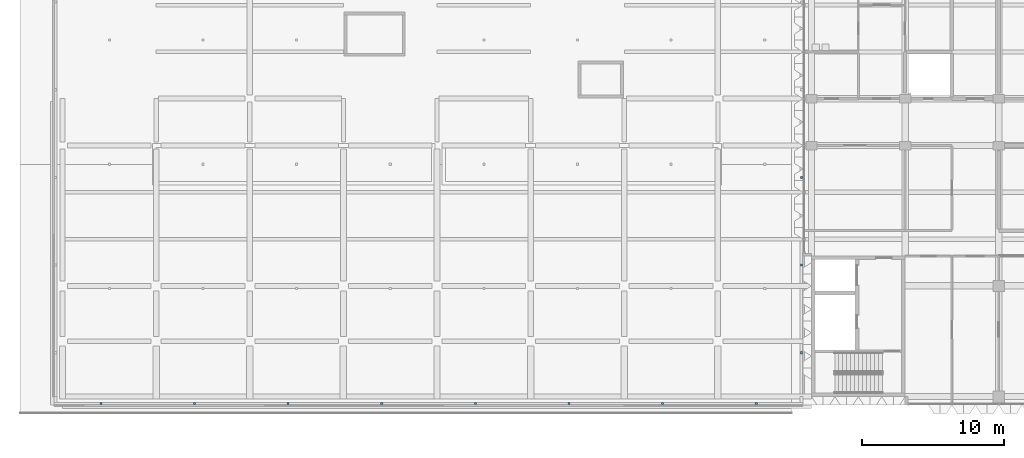
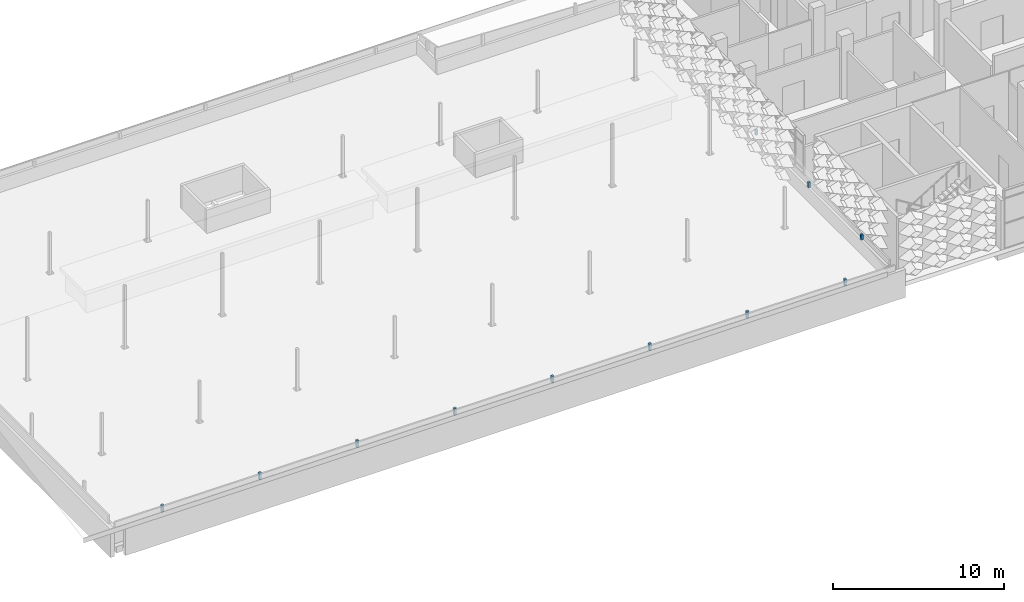
# One storey, part 17 of 39: 11 discrete accessories.
"""IFC4 building model written with IfcOpenShell, lengths in metres."""

from ifc_helpers import new_model, si_unit, direction, frame, origin, origin_2d, place, context, subcontext, project, spatial, rectangle, extrude, material, type_object, element, save


model = new_model("IFC4")

# Units and contexts
model_context = context("Model", 3, precision=1e-05, world=origin(), true_north=direction((0.0, 1.0)))
body_context = subcontext(model_context, "Body", "Model", "MODEL_VIEW")
ifc_project = project(units=[si_unit("LENGTHUNIT", "METRE"), si_unit("AREAUNIT", "SQUARE_METRE"), si_unit("VOLUMEUNIT", "CUBIC_METRE"), si_unit("PLANEANGLEUNIT", "RADIAN"), si_unit("MASSUNIT", "GRAM", prefix="KILO")], contexts=[model_context])

# Site, building, storey
site_placement = place(None, origin())
site = spatial("IfcSite", under=ifc_project, at=site_placement, CompositionType="ELEMENT")
building_placement = place(site_placement, origin())
building = spatial("IfcBuilding", under=site, at=building_placement, Name="Lantern Court Research Institute", CompositionType="ELEMENT")
storey_placement = place(building_placement, frame((0.0, 0.0, 27.89990234375)))
storey = spatial("IfcBuildingStorey", under=building, at=storey_placement, Name="L06", CompositionType="ELEMENT", Elevation=27.89990234375)

# Discrete accessories
ifc_material = material(Name="Structural steel S355", Category="steel")
discrete_accessory_type = type_object("IfcDiscreteAccessoryType", Name="Parasol roof post 150 x 150 steel", PredefinedType="BRACKET", material=ifc_material)
for number, where, z_axis, x_axis, name in (
    (1, (2.699951171875, -8.300048828125, 1.10009765625), (0.0, 0.0, 1.0), (1.0, 0.0, 0.0), "Parasol roof post V4 29"),
    (2, (9.300048828125, -8.300048828125, 1.10009765625), (0.0, 0.0, 1.0), (1.0, 0.0, 0.0), "Parasol roof post V4 30"),
    (3, (15.89990234375, -8.300048828125, 1.10009765625), (0.0, 0.0, 1.0), (1.0, 0.0, 0.0), "Parasol roof post V4 31"),
    (4, (22.5, -8.300048828125, 1.10009765625), (0.0, 0.0, 1.0), (1.0, 0.0, 0.0), "Parasol roof post V4 32"),
    (5, (29.10009765625, -8.300048828125, 1.10009765625), (0.0, 0.0, 1.0), (1.0, 0.0, 0.0), "Parasol roof post V4 33"),
    (6, (35.699951171875, -8.300048828125, 1.10009765625), (0.0, 0.0, 1.0), (1.0, 0.0, 0.0), "Parasol roof post V4 34"),
    (7, (42.300048828125, -8.300048828125, 1.10009765625), (0.0, 0.0, 1.0), (1.0, 0.0, 0.0), "Parasol roof post V4 35"),
    (8, (48.89990234375, -8.300048828125, 1.10009765625), (0.0, 0.0, 1.0), (1.0, 0.0, 0.0), "Parasol roof post V4 36"),
):
    element("IfcDiscreteAccessory", number, at=place(storey_placement, frame(where, z_axis=z_axis, x_axis=x_axis)), inside=storey, type_object=discrete_accessory_type, Name=name, PredefinedType="BRACKET", context=body_context, shape_type="SweptSolid", body=[
        extrude(rectangle(XDim=0.14990234375, YDim=0.14990234375, at=origin_2d()), origin(), (0.0, 0.0, 1.0), 0.49658203125),
    ])
for number, where, z_axis, x_axis, name in (
    (9, (52.10009765625, -4.7099609375, 1.10009765625), (0.0, 0.0, 1.0), (1.0, 0.0, 0.0), "Parasol roof post V4 37"),
    (10, (52.10009765625, 1.469970703125, 1.10009765625), (0.0, 0.0, 1.0), (1.0, 0.0, 0.0), "Parasol roof post V4 38"),
    (11, (52.10009765625, 7.64990234375, 1.10009765625), (0.0, 0.0, 1.0), (1.0, 0.0, 0.0), "Parasol roof post V4 39"),
):
    element("IfcDiscreteAccessory", number, at=place(storey_placement, frame(where, z_axis=z_axis, x_axis=x_axis)), inside=storey, type_object=discrete_accessory_type, Name=name, PredefinedType="BRACKET", context=body_context, shape_type="SweptSolid", body=[
        extrude(rectangle(XDim=0.14990234375, YDim=0.14990234375, at=origin_2d()), origin(), (0.0, 0.0, 1.0), 0.36865234375),
    ])

save(model, "model.ifc")
